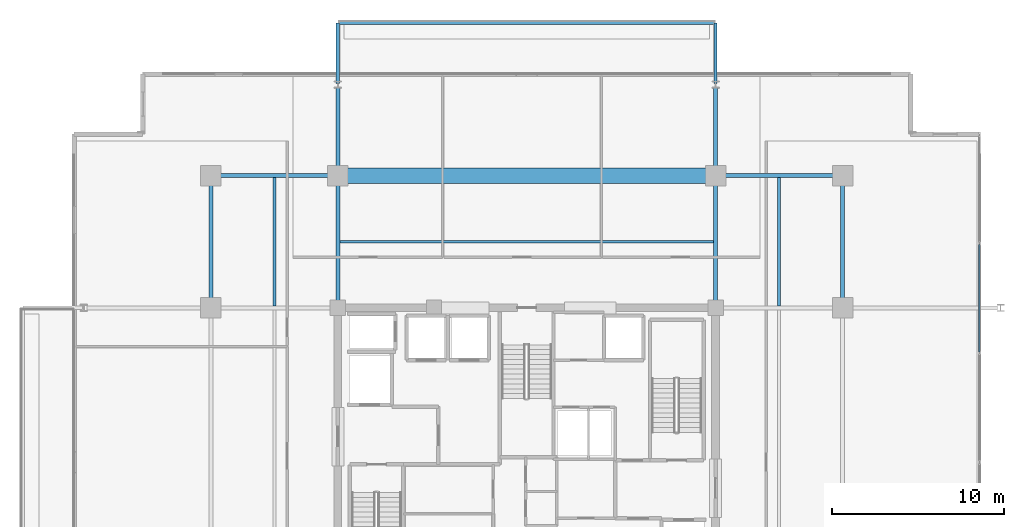
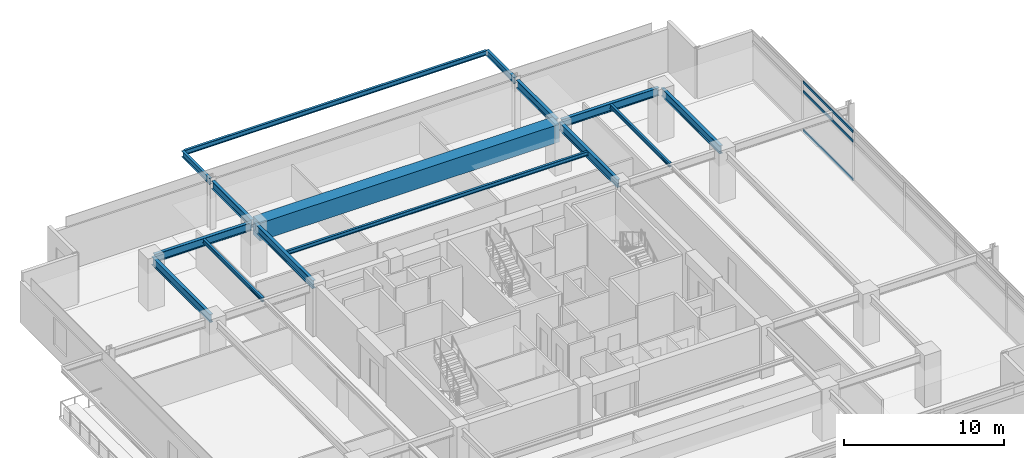
# One storey, part 10 of 21: 15 beams, 3 members, 1 element without a shape of its own.
"""IFC4 building model written with IfcOpenShell, lengths in metres."""

from ifc_helpers import new_model, si_unit, direction, frame, origin, origin_2d, place, context, subcontext, project, spatial, rectangle, hollow_rectangle, i_section, extrude, material, material_profile, profile_set, type_object, element, aggregate, save


model = new_model("IFC4")

# Units and contexts
model_context = context("Model", 3, precision=1e-05, world=origin(), true_north=direction((0.0, 1.0)))
body_context = subcontext(model_context, "Body", "Model", "MODEL_VIEW")
ifc_project = project(units=[si_unit("LENGTHUNIT", "METRE"), si_unit("AREAUNIT", "SQUARE_METRE"), si_unit("VOLUMEUNIT", "CUBIC_METRE"), si_unit("PLANEANGLEUNIT", "RADIAN"), si_unit("MASSUNIT", "GRAM", prefix="KILO")], contexts=[model_context])

# Site, building, storey
site_placement = place(None, origin())
site = spatial("IfcSite", under=ifc_project, at=site_placement, CompositionType="ELEMENT")
building_placement = place(site_placement, origin())
building = spatial("IfcBuilding", under=site, at=building_placement, Name="Kovane Verandah Tower", CompositionType="ELEMENT")
storey_placement = place(building_placement, frame((0.0, 0.0, 247.199951171875)))
storey = spatial("IfcBuildingStorey", under=building, at=storey_placement, Name="L57", CompositionType="ELEMENT", Elevation=247.199951171875)

# Beams
ifc_material_1 = material(Name="Concrete C80/95", Category="concrete")
ifc_material_profile_1 = material_profile(ifc_material_1, rectangle(XDim=0.89990234375, YDim=1.35009765625, at=origin_2d()), Name="RCB900x1350")
ifc_profile_set_1 = profile_set([ifc_material_profile_1], Name="Concrete C80/95")
beam_type_1 = type_object("IfcBeamType", Name="BM-TR-900x1350", PredefinedType="BEAM", material=ifc_profile_set_1)
beam_1_placement = place(storey_placement, frame((29.179931640625, 44.199951171875, 3.110107421875), z_axis=(1.0, 0.0, 0.0), x_axis=(0.0, 1.0, 0.0)))
element("IfcBeam", 1, at=beam_1_placement, inside=storey, type_object=beam_type_1, Name="L57 Primary Tower Girder G-RN2", PredefinedType="BEAM", context=body_context, shape_type="SweptSolid", body=[
    extrude(rectangle(XDim=0.89990234375, YDim=1.35009765625, at=origin_2d()), origin(), (0.0, 0.0, 1.0), 21.64013671875),
])
ifc_material_2 = material(Name="Steel S355", Category="steel")
ifc_material_profile_2 = material_profile(ifc_material_2, i_section(OverallWidth=0.230224609375, OverallDepth=0.6171875, WebThickness=0.01318359375, FlangeThickness=0.022216796875, FilletRadius=0.0126953125, at=origin_2d()), Name="UB610x229x140")
ifc_profile_set_2 = profile_set([ifc_material_profile_2], Name="Steel S355")
beam_type_2 = type_object("IfcBeamType", Name="BM-UB610x140", PredefinedType="BEAM", material=ifc_profile_set_2)
for number, where, z_axis, x_axis, name in (
    (2, (21.780029296875, 44.199951171875, 3.4765625), (1.0, 0.0, 0.0), (0.0, 1.0, 0.0), "L57 Primary Tower Girder G-RN1"),
    (3, (51.179931640625, 44.199951171875, 3.4765625), (1.0, 0.0, 0.0), (0.0, 1.0, 0.0), "L57 Primary Tower Girder G-RN3"),
):
    element("IfcBeam", number, at=place(storey_placement, frame(where, z_axis=z_axis, x_axis=x_axis)), inside=storey, type_object=beam_type_2, Name=name, PredefinedType="BEAM", context=body_context, shape_type="SweptSolid", body=[
        extrude(i_section(OverallWidth=0.230224609375, OverallDepth=0.6171875, WebThickness=0.01318359375, FlangeThickness=0.022216796875, FilletRadius=0.0126953125, at=origin_2d()), origin(), (0.0, 0.0, 1.0), 7.0400390625),
    ])
for number, where, z_axis, x_axis, name in (
    (4, (21.60009765625, 36.679931640625, 3.4765625), (0.0, 1.0, 0.0), (-1.0, 0.0, 0.0), "L57 Primary Tower Girder G-RW3"),
    (5, (58.39990234375, 36.679931640625, 3.4765625), (0.0, 1.0, 0.0), (-1.0, 0.0, 0.0), "L57 Primary Tower Girder G-RE3"),
    (6, (29.0, 36.679931640625, 3.4765625), (0.0, 1.0, 0.0), (-1.0, 0.0, 0.0), "L57 Primary Tower Girder G-N1"),
    (7, (51.0, 36.679931640625, 3.4765625), (0.0, 1.0, 0.0), (-1.0, 0.0, 0.0), "L57 Primary Tower Girder G-N2"),
):
    element("IfcBeam", number, at=place(storey_placement, frame(where, z_axis=z_axis, x_axis=x_axis)), inside=storey, type_object=beam_type_2, Name=name, PredefinedType="BEAM", context=body_context, shape_type="SweptSolid", body=[
        extrude(i_section(OverallWidth=0.230224609375, OverallDepth=0.6171875, WebThickness=0.01318359375, FlangeThickness=0.022216796875, FilletRadius=0.0126953125, at=origin_2d()), origin(), (0.0, 0.0, 1.0), 7.340087890625),
    ])
for number, where, z_axis, x_axis, name in (
    (8, (29.0, 44.3798828125, 3.451416015625), (0.0, 1.0, 0.0), (-1.0, 0.0, 0.0), "L57 Primary Tower Girder G-VN1"),
    (9, (51.0, 44.3798828125, 3.451416015625), (0.0, 1.0, 0.0), (-1.0, 0.0, 0.0), "L57 Primary Tower Girder G-VN2"),
):
    element("IfcBeam", number, at=place(storey_placement, frame(where, z_axis=z_axis, x_axis=x_axis)), inside=storey, type_object=beam_type_2, Name=name, PredefinedType="BEAM", context=body_context, shape_type="SweptSolid", body=[
        extrude(i_section(OverallWidth=0.230224609375, OverallDepth=0.6171875, WebThickness=0.01318359375, FlangeThickness=0.022216796875, FilletRadius=0.0126953125, at=origin_2d()), origin(), (0.0, 0.0, 1.0), 4.940185546875),
    ])

# Curtain wall, members
ifc_material_3 = material(Name="Champagne Anodised Aluminium Frame with Low-E Clear Laminated Glass", Category="aluminium")
curtain_wall_type = type_object("IfcCurtainWallType", Name="CW-SYS-05-HIGH", PredefinedType="NOTDEFINED", material=ifc_material_3)
curtain_wall_placement = place(storey_placement, origin())
curtain_wall = element("IfcCurtainWall", 10, at=curtain_wall_placement, inside=storey, type_object=curtain_wall_type, Name="L57 E Unitised Curtain Wall", PredefinedType="NOTDEFINED")
ifc_material_4 = material(Name="Champagne Anodised Aluminium 6063-T6", Category="aluminium")
ifc_material_profile_3 = material_profile(ifc_material_4, hollow_rectangle(XDim=0.0849609375, YDim=0.18994140625, WallThickness=0.00390625, at=origin_2d()), Name="AL85x190x4")
ifc_profile_set_3 = profile_set([ifc_material_profile_3], Name="Champagne Anodised Aluminium 6063-T6")
member_type = type_object("IfcMemberType", Name="CW-TRN-85x190", PredefinedType="USERDEFINED", material=ifc_profile_set_3)
member_1_placement = place(storey_placement, frame((66.366455078125, 33.922607421875, 0.050048828125), z_axis=(0.0, 1.0, 0.0), x_axis=(-1.0, 0.0, 0.0)))
member_1 = element("IfcMember", 11, at=member_1_placement, type_object=member_type, Name="L57 E Unitised Curtain Wall Transom TB Bay 5", ObjectType="TRANSOM", PredefinedType="USERDEFINED", context=body_context, shape_type="SweptSolid", body=[
    extrude(hollow_rectangle(XDim=0.0849609375, YDim=0.18994140625, WallThickness=0.00390625, at=origin_2d()), origin(), (0.0, 0.0, 1.0), 6.27294921875),
])
member_2_placement = place(storey_placement, frame((66.366455078125, 33.922607421875, 3.005126953125), z_axis=(0.0, 1.0, 0.0), x_axis=(-1.0, 0.0, 0.0)))
member_2 = element("IfcMember", 12, at=member_2_placement, type_object=member_type, Name="L57 E Unitised Curtain Wall Transom TM Bay 5", ObjectType="TRANSOM", PredefinedType="USERDEFINED", context=body_context, shape_type="SweptSolid", body=[
    extrude(hollow_rectangle(XDim=0.0849609375, YDim=0.18994140625, WallThickness=0.00390625, at=origin_2d()), origin(), (0.0, 0.0, 1.0), 6.27294921875),
])
member_3_placement = place(storey_placement, frame((66.366455078125, 33.922607421875, 3.735107421875), z_axis=(0.0, 1.0, 0.0), x_axis=(-1.0, 0.0, 0.0)))
member_3 = element("IfcMember", 13, at=member_3_placement, type_object=member_type, Name="L57 E Unitised Curtain Wall Transom TT Bay 5", ObjectType="TRANSOM", PredefinedType="USERDEFINED", context=body_context, shape_type="SweptSolid", body=[
    extrude(hollow_rectangle(XDim=0.0849609375, YDim=0.18994140625, WallThickness=0.00390625, at=origin_2d()), origin(), (0.0, 0.0, 1.0), 6.27294921875),
])
aggregate(curtain_wall, [member_1, member_2, member_3])

# Beams
ifc_material_profile_4 = material_profile(ifc_material_2, i_section(OverallWidth=0.1669921875, OverallDepth=0.310302734375, WebThickness=0.0078125, FlangeThickness=0.013671875, FilletRadius=0.0087890625, at=origin_2d()), Name="UB305x165x54")
ifc_profile_set_4 = profile_set([ifc_material_profile_4], Name="Steel S355")
beam_type_3 = type_object("IfcBeamType", Name="JST-UB305x54", PredefinedType="JOIST", material=ifc_profile_set_4)
beam_2_placement = place(storey_placement, frame((29.113037109375, 40.35009765625, 3.6298828125), z_axis=(1.0, 0.0, 0.0), x_axis=(0.0, 1.0, 0.0)))
element("IfcBeam", 14, at=beam_2_placement, inside=storey, type_object=beam_type_3, Name="L57 Secondary Composite Joist J-N1", PredefinedType="JOIST", context=body_context, shape_type="SweptSolid", body=[
    extrude(i_section(OverallWidth=0.1669921875, OverallDepth=0.310302734375, WebThickness=0.0078125, FlangeThickness=0.013671875, FilletRadius=0.0087890625, at=origin_2d()), origin(), (0.0, 0.0, 1.0), 21.77392578125),
])
for number, where, z_axis, x_axis, name in (
    (15, (25.300048828125, 36.613037109375, 3.6298828125), (0.0, 1.0, 0.0), (-1.0, 0.0, 0.0), "L57 Secondary Composite Joist J-NW1"),
    (16, (54.699951171875, 36.613037109375, 3.6298828125), (0.0, 1.0, 0.0), (-1.0, 0.0, 0.0), "L57 Secondary Composite Joist J-NE1"),
):
    element("IfcBeam", number, at=place(storey_placement, frame(where, z_axis=z_axis, x_axis=x_axis)), inside=storey, type_object=beam_type_3, Name=name, PredefinedType="JOIST", context=body_context, shape_type="SweptSolid", body=[
        extrude(i_section(OverallWidth=0.1669921875, OverallDepth=0.310302734375, WebThickness=0.0078125, FlangeThickness=0.013671875, FilletRadius=0.0087890625, at=origin_2d()), origin(), (0.0, 0.0, 1.0), 7.473876953125),
    ])
ifc_material_profile_5 = material_profile(ifc_material_2, i_section(OverallWidth=0.19287109375, OverallDepth=0.46728515625, WebThickness=0.011474609375, FlangeThickness=0.01953125, FilletRadius=0.01025390625, at=origin_2d()), Name="UB457x191x98")
ifc_profile_set_5 = profile_set([ifc_material_profile_5], Name="Steel S355")
beam_type_4 = type_object("IfcBeamType", Name="JST-UB457x98", PredefinedType="JOIST", material=ifc_profile_set_5)
for number, where, z_axis, x_axis, name in (
    (17, (29.0, 49.580078125, 3.5263671875), (0.0, 1.0, 0.0), (-1.0, 0.0, 0.0), "L57 North Planter Girder 1"),
    (18, (51.0, 49.580078125, 3.5263671875), (0.0, 1.0, 0.0), (-1.0, 0.0, 0.0), "L57 North Planter Girder 2"),
):
    element("IfcBeam", number, at=place(storey_placement, frame(where, z_axis=z_axis, x_axis=x_axis)), inside=storey, type_object=beam_type_4, Name=name, PredefinedType="JOIST", context=body_context, shape_type="SweptSolid", body=[
        extrude(i_section(OverallWidth=0.19287109375, OverallDepth=0.46728515625, WebThickness=0.011474609375, FlangeThickness=0.01953125, FilletRadius=0.01025390625, at=origin_2d()), origin(), (0.0, 0.0, 1.0), 3.507568359375),
    ])
ifc_material_profile_6 = material_profile(ifc_material_2, i_section(OverallWidth=0.173095703125, OverallDepth=0.36328125, WebThickness=0.009033203125, FlangeThickness=0.015625, FilletRadius=0.01025390625, at=origin_2d()), Name="UB356x171x67")
ifc_profile_set_6 = profile_set([ifc_material_profile_6], Name="Steel S355")
beam_type_5 = type_object("IfcBeamType", Name="SPD-UB356x67", PredefinedType="USERDEFINED", material=ifc_profile_set_6)
beam_3_placement = place(storey_placement, frame((29.094482421875, 53.087646484375, 3.578369140625), z_axis=(1.0, 0.0, 0.0), x_axis=(0.0, 1.0, 0.0)))
element("IfcBeam", 19, at=beam_3_placement, inside=storey, type_object=beam_type_5, Name="L57 North Planter Edge Spandrel", ObjectType="SPANDREL", PredefinedType="USERDEFINED", context=body_context, shape_type="SweptSolid", body=[
    extrude(i_section(OverallWidth=0.173095703125, OverallDepth=0.36328125, WebThickness=0.009033203125, FlangeThickness=0.015625, FilletRadius=0.01025390625, at=origin_2d()), origin(), (0.0, 0.0, 1.0), 21.81103515625),
])

save(model, "model.ifc")
